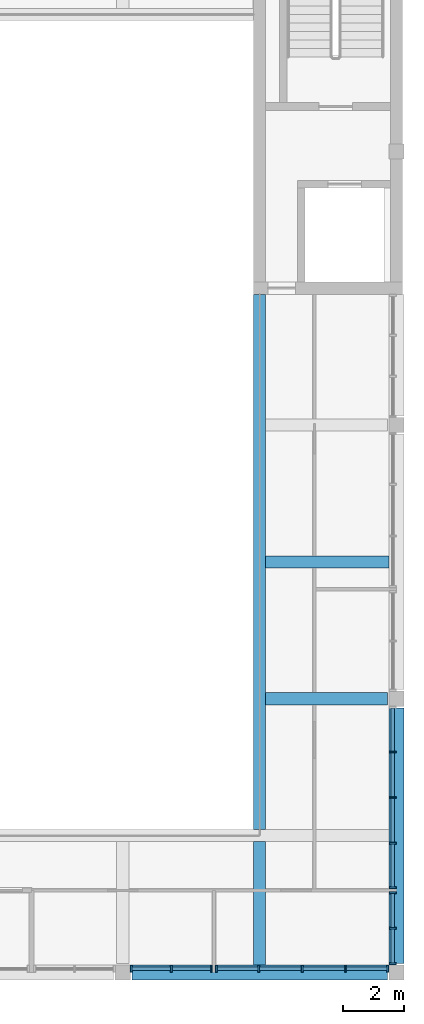
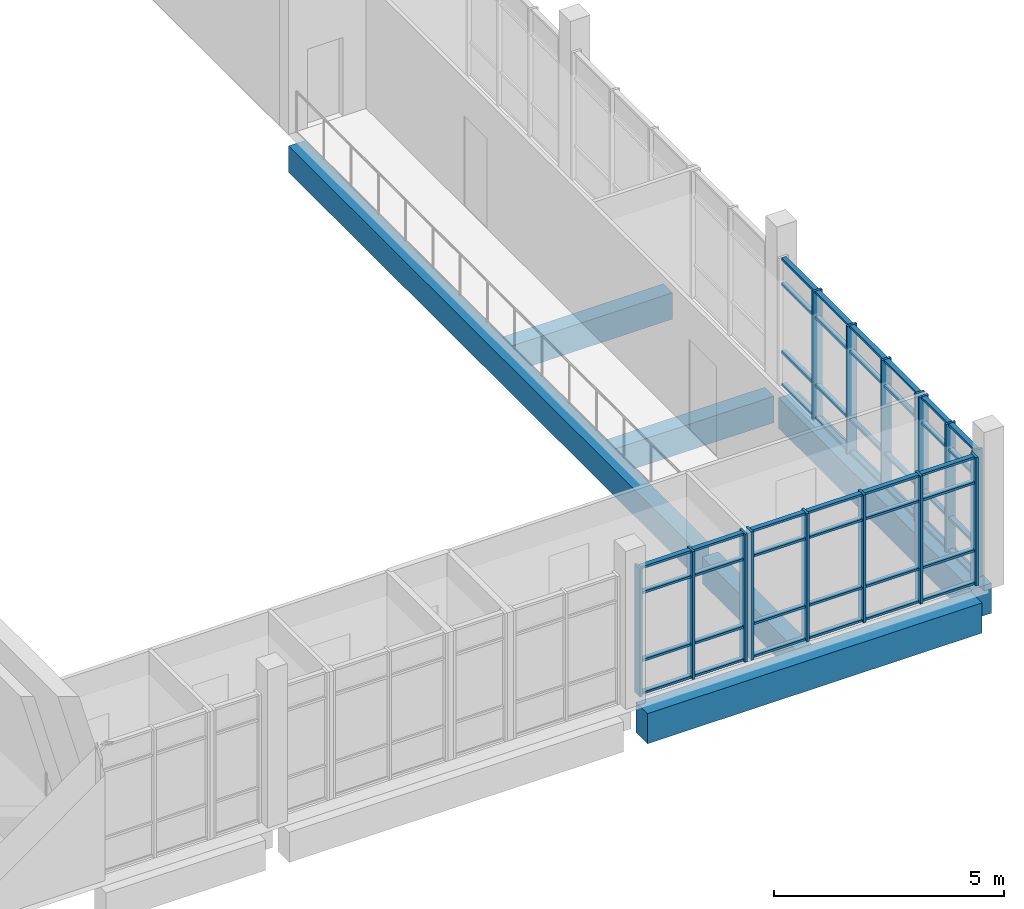
# One storey, part 11 of 74: 63 members, 6 beams, 4 elements without a shape of their own.
"""IFC4 building model written with IfcOpenShell, lengths in metres."""

from ifc_helpers import new_model, si_unit, direction, frame, origin, origin_2d, place, context, subcontext, project, spatial, rectangle, extrude, material, material_profile, profile_set, type_object, element, aggregate, save


model = new_model("IFC4")

# Units and contexts
model_context = context("Model", 3, precision=1e-05, world=origin(), true_north=direction((0.0, 1.0)))
body_context = subcontext(model_context, "Body", "Model", "MODEL_VIEW")
ifc_project = project(units=[si_unit("LENGTHUNIT", "METRE"), si_unit("AREAUNIT", "SQUARE_METRE"), si_unit("VOLUMEUNIT", "CUBIC_METRE"), si_unit("PLANEANGLEUNIT", "RADIAN"), si_unit("MASSUNIT", "GRAM", prefix="KILO")], contexts=[model_context])

# Site, building, storey
site_placement = place(None, origin())
site = spatial("IfcSite", under=ifc_project, at=site_placement, CompositionType="ELEMENT")
building_placement = place(site_placement, origin())
building = spatial("IfcBuilding", under=site, at=building_placement, Name="Merrow Basin Faculty of Sciences", CompositionType="ELEMENT")
storey_placement = place(building_placement, frame((0.0, 0.0, 13.5)))
storey = spatial("IfcBuildingStorey", under=building, at=storey_placement, Name="L03", CompositionType="ELEMENT", Elevation=13.5)

# Curtain wall, members
ifc_material_1 = material(Name="Aluminium alloy 6063", Category="aluminium")
curtain_wall_type = type_object("IfcCurtainWallType", Name="Atrium unitised curtain wall 240", PredefinedType="NOTDEFINED", material=ifc_material_1)
curtain_wall_1_placement = place(storey_placement, origin())
curtain_wall_1 = element("IfcCurtainWall", 1, at=curtain_wall_1_placement, inside=storey, type_object=curtain_wall_type, Name="E curtain wall L03 1", PredefinedType="NOTDEFINED")
ifc_material_2 = material(Name="Aluminium alloy 6063", Category="aluminium")
ifc_material_profile_1 = material_profile(ifc_material_2, rectangle(XDim=0.239990234375, YDim=0.06005859375, at=origin_2d()))
ifc_profile_set_1 = profile_set([ifc_material_profile_1], Name="Aluminium alloy 6063")
member_type_1 = type_object("IfcMemberType", Name="Aluminium mullion 60x240", PredefinedType="MULLION", material=ifc_profile_set_1)
member_1_placement = place(storey_placement, frame((71.8798828125, 0.280029296875, 0.0), z_axis=(0.0, 0.0, 1.0), x_axis=(-1.0, 0.0, 0.0)))
member_1 = element("IfcMember", 2, at=member_1_placement, type_object=member_type_1, Name="CW5 mullion 1", PredefinedType="MULLION", context=body_context, shape_type="SweptSolid", body=[
    extrude(rectangle(XDim=0.239990234375, YDim=0.06005859375, at=origin_2d()), origin(), (0.0, 0.0, 1.0), 3.39990234375),
])
member_2_placement = place(storey_placement, frame((71.8798828125, 1.449951171875, 0.0), z_axis=(0.0, 0.0, 1.0), x_axis=(-1.0, 0.0, 0.0)))
member_2 = element("IfcMember", 3, at=member_2_placement, type_object=member_type_1, Name="CW5 mullion 2", PredefinedType="MULLION", context=body_context, shape_type="SweptSolid", body=[
    extrude(rectangle(XDim=0.239990234375, YDim=0.06005859375, at=origin_2d()), origin(), (0.0, 0.0, 1.0), 3.39990234375),
])
member_3_placement = place(storey_placement, frame((71.8798828125, 2.6201171875, 0.0), z_axis=(0.0, 0.0, 1.0), x_axis=(-1.0, 0.0, 0.0)))
member_3 = element("IfcMember", 4, at=member_3_placement, type_object=member_type_1, Name="CW5 mullion 3", PredefinedType="MULLION", context=body_context, shape_type="SweptSolid", body=[
    extrude(rectangle(XDim=0.239990234375, YDim=0.06005859375, at=origin_2d()), origin(), (0.0, 0.0, 1.0), 3.39990234375),
])

curtain_wall_2_placement = place(storey_placement, origin())
curtain_wall_2 = element("IfcCurtainWall", 5, at=curtain_wall_2_placement, inside=storey, type_object=curtain_wall_type, Name="E curtain wall L03 2", PredefinedType="NOTDEFINED")
member_4_placement = place(storey_placement, frame((71.8798828125, 2.780029296875, 0.0), z_axis=(0.0, 0.0, 1.0), x_axis=(-1.0, 0.0, 0.0)))
member_4 = element("IfcMember", 6, at=member_4_placement, type_object=member_type_1, Name="CW5 mullion 1", PredefinedType="MULLION", context=body_context, shape_type="SweptSolid", body=[
    extrude(rectangle(XDim=0.239990234375, YDim=0.06005859375, at=origin_2d()), origin(), (0.0, 0.0, 1.0), 3.39990234375),
])
member_5_placement = place(storey_placement, frame((71.8798828125, 4.25, 0.0), z_axis=(0.0, 0.0, 1.0), x_axis=(-1.0, 0.0, 0.0)))
member_5 = element("IfcMember", 7, at=member_5_placement, type_object=member_type_1, Name="CW5 mullion 2", PredefinedType="MULLION", context=body_context, shape_type="SweptSolid", body=[
    extrude(rectangle(XDim=0.239990234375, YDim=0.06005859375, at=origin_2d()), origin(), (0.0, 0.0, 1.0), 3.39990234375),
])
member_6_placement = place(storey_placement, frame((71.8798828125, 5.75, 0.0), z_axis=(0.0, 0.0, 1.0), x_axis=(-1.0, 0.0, 0.0)))
member_6 = element("IfcMember", 8, at=member_6_placement, type_object=member_type_1, Name="CW5 mullion 3", PredefinedType="MULLION", context=body_context, shape_type="SweptSolid", body=[
    extrude(rectangle(XDim=0.239990234375, YDim=0.06005859375, at=origin_2d()), origin(), (0.0, 0.0, 1.0), 3.39990234375),
])
member_7_placement = place(storey_placement, frame((71.8798828125, 7.25, 0.0), z_axis=(0.0, 0.0, 1.0), x_axis=(-1.0, 0.0, 0.0)))
member_7 = element("IfcMember", 9, at=member_7_placement, type_object=member_type_1, Name="CW5 mullion 4", PredefinedType="MULLION", context=body_context, shape_type="SweptSolid", body=[
    extrude(rectangle(XDim=0.239990234375, YDim=0.06005859375, at=origin_2d()), origin(), (0.0, 0.0, 1.0), 3.39990234375),
])

curtain_wall_3_placement = place(storey_placement, origin())
curtain_wall_3 = element("IfcCurtainWall", 10, at=curtain_wall_3_placement, inside=storey, type_object=curtain_wall_type, Name="S curtain wall L03 7", PredefinedType="NOTDEFINED")
member_8_placement = place(storey_placement, frame((63.280029296875, 0.1201171875, 0.0), z_axis=(0.0, 0.0, 1.0), x_axis=(0.0, 1.0, 0.0)))
member_8 = element("IfcMember", 11, at=member_8_placement, type_object=member_type_1, Name="CW5 mullion 1", PredefinedType="MULLION", context=body_context, shape_type="SweptSolid", body=[
    extrude(rectangle(XDim=0.239990234375, YDim=0.06005859375, at=origin_2d()), origin(), (0.0, 0.0, 1.0), 3.39990234375),
])
member_9_placement = place(storey_placement, frame((64.60009765625, 0.1201171875, 0.0), z_axis=(0.0, 0.0, 1.0), x_axis=(0.0, 1.0, 0.0)))
member_9 = element("IfcMember", 12, at=member_9_placement, type_object=member_type_1, Name="CW5 mullion 2", PredefinedType="MULLION", context=body_context, shape_type="SweptSolid", body=[
    extrude(rectangle(XDim=0.239990234375, YDim=0.06005859375, at=origin_2d()), origin(), (0.0, 0.0, 1.0), 3.39990234375),
])
member_10_placement = place(storey_placement, frame((65.919921875, 0.1201171875, 0.0), z_axis=(0.0, 0.0, 1.0), x_axis=(0.0, 1.0, 0.0)))
member_10 = element("IfcMember", 13, at=member_10_placement, type_object=member_type_1, Name="CW5 mullion 3", PredefinedType="MULLION", context=body_context, shape_type="SweptSolid", body=[
    extrude(rectangle(XDim=0.239990234375, YDim=0.06005859375, at=origin_2d()), origin(), (0.0, 0.0, 1.0), 3.39990234375),
])

curtain_wall_4_placement = place(storey_placement, origin())
curtain_wall_4 = element("IfcCurtainWall", 14, at=curtain_wall_4_placement, inside=storey, type_object=curtain_wall_type, Name="S curtain wall L03 8", PredefinedType="NOTDEFINED")
member_11_placement = place(storey_placement, frame((66.080078125, 0.1201171875, 0.0), z_axis=(0.0, 0.0, 1.0), x_axis=(0.0, 1.0, 0.0)))
member_11 = element("IfcMember", 15, at=member_11_placement, type_object=member_type_1, Name="CW5 mullion 1", PredefinedType="MULLION", context=body_context, shape_type="SweptSolid", body=[
    extrude(rectangle(XDim=0.239990234375, YDim=0.06005859375, at=origin_2d()), origin(), (0.0, 0.0, 1.0), 3.39990234375),
])
member_12_placement = place(storey_placement, frame((67.47509765625, 0.1201171875, 0.0), z_axis=(0.0, 0.0, 1.0), x_axis=(0.0, 1.0, 0.0)))
member_12 = element("IfcMember", 16, at=member_12_placement, type_object=member_type_1, Name="CW5 mullion 2", PredefinedType="MULLION", context=body_context, shape_type="SweptSolid", body=[
    extrude(rectangle(XDim=0.239990234375, YDim=0.06005859375, at=origin_2d()), origin(), (0.0, 0.0, 1.0), 3.39990234375),
])
member_13_placement = place(storey_placement, frame((68.89990234375, 0.1201171875, 0.0), z_axis=(0.0, 0.0, 1.0), x_axis=(0.0, 1.0, 0.0)))
member_13 = element("IfcMember", 17, at=member_13_placement, type_object=member_type_1, Name="CW5 mullion 3", PredefinedType="MULLION", context=body_context, shape_type="SweptSolid", body=[
    extrude(rectangle(XDim=0.239990234375, YDim=0.06005859375, at=origin_2d()), origin(), (0.0, 0.0, 1.0), 3.39990234375),
])
member_14_placement = place(storey_placement, frame((70.324951171875, 0.1201171875, 0.0), z_axis=(0.0, 0.0, 1.0), x_axis=(0.0, 1.0, 0.0)))
member_14 = element("IfcMember", 18, at=member_14_placement, type_object=member_type_1, Name="CW5 mullion 4", PredefinedType="MULLION", context=body_context, shape_type="SweptSolid", body=[
    extrude(rectangle(XDim=0.239990234375, YDim=0.06005859375, at=origin_2d()), origin(), (0.0, 0.0, 1.0), 3.39990234375),
])
member_15_placement = place(storey_placement, frame((71.719970703125, 0.1201171875, 0.0), z_axis=(0.0, 0.0, 1.0), x_axis=(0.0, 1.0, 0.0)))
member_15 = element("IfcMember", 19, at=member_15_placement, type_object=member_type_1, Name="CW5 mullion 5", PredefinedType="MULLION", context=body_context, shape_type="SweptSolid", body=[
    extrude(rectangle(XDim=0.239990234375, YDim=0.06005859375, at=origin_2d()), origin(), (0.0, 0.0, 1.0), 3.39990234375),
])

# Member
ifc_material_3 = material(Name="Aluminium alloy 6063", Category="aluminium")
ifc_material_profile_2 = material_profile(ifc_material_3, rectangle(XDim=0.1201171875, YDim=0.06005859375, at=origin_2d()))
ifc_profile_set_2 = profile_set([ifc_material_profile_2], Name="Aluminium alloy 6063")
member_type_2 = type_object("IfcMemberType", Name="Aluminium transom 60x120", PredefinedType="USERDEFINED", material=ifc_profile_set_2)
member_16_placement = place(storey_placement, frame((71.8798828125, 0.31005859375, 0.030029296875), z_axis=(0.0, 1.0, 0.0), x_axis=(-1.0, 0.0, 0.0)))
member_16 = element("IfcMember", 20, at=member_16_placement, type_object=member_type_2, Name="CW5 transom 1.1", ObjectType="TRANSOM", PredefinedType="USERDEFINED", context=body_context, shape_type="SweptSolid", body=[
    extrude(rectangle(XDim=0.1201171875, YDim=0.06005859375, at=origin_2d()), origin(), (0.0, 0.0, 1.0), 1.10986328125),
])

member_17_placement = place(storey_placement, frame((71.8798828125, 0.31005859375, 0.89990234375), z_axis=(0.0, 1.0, 0.0), x_axis=(-1.0, 0.0, 0.0)))
member_17 = element("IfcMember", 21, at=member_17_placement, type_object=member_type_2, Name="CW5 transom 1.2", ObjectType="TRANSOM", PredefinedType="USERDEFINED", context=body_context, shape_type="SweptSolid", body=[
    extrude(rectangle(XDim=0.1201171875, YDim=0.06005859375, at=origin_2d()), origin(), (0.0, 0.0, 1.0), 1.10986328125),
])

member_18_placement = place(storey_placement, frame((71.8798828125, 0.31005859375, 2.699951171875), z_axis=(0.0, 1.0, 0.0), x_axis=(-1.0, 0.0, 0.0)))
member_18 = element("IfcMember", 22, at=member_18_placement, type_object=member_type_2, Name="CW5 transom 1.3", ObjectType="TRANSOM", PredefinedType="USERDEFINED", context=body_context, shape_type="SweptSolid", body=[
    extrude(rectangle(XDim=0.1201171875, YDim=0.06005859375, at=origin_2d()), origin(), (0.0, 0.0, 1.0), 1.10986328125),
])

member_19_placement = place(storey_placement, frame((71.8798828125, 0.31005859375, 3.3701171875), z_axis=(0.0, 1.0, 0.0), x_axis=(-1.0, 0.0, 0.0)))
member_19 = element("IfcMember", 23, at=member_19_placement, type_object=member_type_2, Name="CW5 transom 1.4", ObjectType="TRANSOM", PredefinedType="USERDEFINED", context=body_context, shape_type="SweptSolid", body=[
    extrude(rectangle(XDim=0.1201171875, YDim=0.06005859375, at=origin_2d()), origin(), (0.0, 0.0, 1.0), 1.10986328125),
])

member_20_placement = place(storey_placement, frame((71.8798828125, 1.47998046875, 0.030029296875), z_axis=(0.0, 1.0, 0.0), x_axis=(-1.0, 0.0, 0.0)))
member_20 = element("IfcMember", 24, at=member_20_placement, type_object=member_type_2, Name="CW5 transom 2.1", ObjectType="TRANSOM", PredefinedType="USERDEFINED", context=body_context, shape_type="SweptSolid", body=[
    extrude(rectangle(XDim=0.1201171875, YDim=0.06005859375, at=origin_2d()), origin(), (0.0, 0.0, 1.0), 1.110107421875),
])

member_21_placement = place(storey_placement, frame((71.8798828125, 1.47998046875, 0.89990234375), z_axis=(0.0, 1.0, 0.0), x_axis=(-1.0, 0.0, 0.0)))
member_21 = element("IfcMember", 25, at=member_21_placement, type_object=member_type_2, Name="CW5 transom 2.2", ObjectType="TRANSOM", PredefinedType="USERDEFINED", context=body_context, shape_type="SweptSolid", body=[
    extrude(rectangle(XDim=0.1201171875, YDim=0.06005859375, at=origin_2d()), origin(), (0.0, 0.0, 1.0), 1.110107421875),
])

member_22_placement = place(storey_placement, frame((71.8798828125, 1.47998046875, 2.699951171875), z_axis=(0.0, 1.0, 0.0), x_axis=(-1.0, 0.0, 0.0)))
member_22 = element("IfcMember", 26, at=member_22_placement, type_object=member_type_2, Name="CW5 transom 2.3", ObjectType="TRANSOM", PredefinedType="USERDEFINED", context=body_context, shape_type="SweptSolid", body=[
    extrude(rectangle(XDim=0.1201171875, YDim=0.06005859375, at=origin_2d()), origin(), (0.0, 0.0, 1.0), 1.110107421875),
])

member_23_placement = place(storey_placement, frame((71.8798828125, 1.47998046875, 3.3701171875), z_axis=(0.0, 1.0, 0.0), x_axis=(-1.0, 0.0, 0.0)))
member_23 = element("IfcMember", 27, at=member_23_placement, type_object=member_type_2, Name="CW5 transom 2.4", ObjectType="TRANSOM", PredefinedType="USERDEFINED", context=body_context, shape_type="SweptSolid", body=[
    extrude(rectangle(XDim=0.1201171875, YDim=0.06005859375, at=origin_2d()), origin(), (0.0, 0.0, 1.0), 1.110107421875),
])

aggregate(curtain_wall_1, [member_1, member_2, member_3, member_16, member_17, member_18, member_19, member_20, member_21, member_22, member_23])

member_24_placement = place(storey_placement, frame((71.8798828125, 2.81005859375, 0.030029296875), z_axis=(0.0, 1.0, 0.0), x_axis=(-1.0, 0.0, 0.0)))
member_24 = element("IfcMember", 28, at=member_24_placement, type_object=member_type_2, Name="CW5 transom 1.1", ObjectType="TRANSOM", PredefinedType="USERDEFINED", context=body_context, shape_type="SweptSolid", body=[
    extrude(rectangle(XDim=0.1201171875, YDim=0.06005859375, at=origin_2d()), origin(), (0.0, 0.0, 1.0), 1.409912109375),
])

member_25_placement = place(storey_placement, frame((71.8798828125, 2.81005859375, 0.89990234375), z_axis=(0.0, 1.0, 0.0), x_axis=(-1.0, 0.0, 0.0)))
member_25 = element("IfcMember", 29, at=member_25_placement, type_object=member_type_2, Name="CW5 transom 1.2", ObjectType="TRANSOM", PredefinedType="USERDEFINED", context=body_context, shape_type="SweptSolid", body=[
    extrude(rectangle(XDim=0.1201171875, YDim=0.06005859375, at=origin_2d()), origin(), (0.0, 0.0, 1.0), 1.409912109375),
])

member_26_placement = place(storey_placement, frame((71.8798828125, 2.81005859375, 2.699951171875), z_axis=(0.0, 1.0, 0.0), x_axis=(-1.0, 0.0, 0.0)))
member_26 = element("IfcMember", 30, at=member_26_placement, type_object=member_type_2, Name="CW5 transom 1.3", ObjectType="TRANSOM", PredefinedType="USERDEFINED", context=body_context, shape_type="SweptSolid", body=[
    extrude(rectangle(XDim=0.1201171875, YDim=0.06005859375, at=origin_2d()), origin(), (0.0, 0.0, 1.0), 1.409912109375),
])

member_27_placement = place(storey_placement, frame((71.8798828125, 2.81005859375, 3.3701171875), z_axis=(0.0, 1.0, 0.0), x_axis=(-1.0, 0.0, 0.0)))
member_27 = element("IfcMember", 31, at=member_27_placement, type_object=member_type_2, Name="CW5 transom 1.4", ObjectType="TRANSOM", PredefinedType="USERDEFINED", context=body_context, shape_type="SweptSolid", body=[
    extrude(rectangle(XDim=0.1201171875, YDim=0.06005859375, at=origin_2d()), origin(), (0.0, 0.0, 1.0), 1.409912109375),
])

member_28_placement = place(storey_placement, frame((71.8798828125, 4.280029296875, 0.030029296875), z_axis=(0.0, 1.0, 0.0), x_axis=(-1.0, 0.0, 0.0)))
member_28 = element("IfcMember", 32, at=member_28_placement, type_object=member_type_2, Name="CW5 transom 2.1", ObjectType="TRANSOM", PredefinedType="USERDEFINED", context=body_context, shape_type="SweptSolid", body=[
    extrude(rectangle(XDim=0.1201171875, YDim=0.06005859375, at=origin_2d()), origin(), (0.0, 0.0, 1.0), 1.43994140625),
])

member_29_placement = place(storey_placement, frame((71.8798828125, 4.280029296875, 0.89990234375), z_axis=(0.0, 1.0, 0.0), x_axis=(-1.0, 0.0, 0.0)))
member_29 = element("IfcMember", 33, at=member_29_placement, type_object=member_type_2, Name="CW5 transom 2.2", ObjectType="TRANSOM", PredefinedType="USERDEFINED", context=body_context, shape_type="SweptSolid", body=[
    extrude(rectangle(XDim=0.1201171875, YDim=0.06005859375, at=origin_2d()), origin(), (0.0, 0.0, 1.0), 1.43994140625),
])

member_30_placement = place(storey_placement, frame((71.8798828125, 4.280029296875, 2.699951171875), z_axis=(0.0, 1.0, 0.0), x_axis=(-1.0, 0.0, 0.0)))
member_30 = element("IfcMember", 34, at=member_30_placement, type_object=member_type_2, Name="CW5 transom 2.3", ObjectType="TRANSOM", PredefinedType="USERDEFINED", context=body_context, shape_type="SweptSolid", body=[
    extrude(rectangle(XDim=0.1201171875, YDim=0.06005859375, at=origin_2d()), origin(), (0.0, 0.0, 1.0), 1.43994140625),
])

member_31_placement = place(storey_placement, frame((71.8798828125, 4.280029296875, 3.3701171875), z_axis=(0.0, 1.0, 0.0), x_axis=(-1.0, 0.0, 0.0)))
member_31 = element("IfcMember", 35, at=member_31_placement, type_object=member_type_2, Name="CW5 transom 2.4", ObjectType="TRANSOM", PredefinedType="USERDEFINED", context=body_context, shape_type="SweptSolid", body=[
    extrude(rectangle(XDim=0.1201171875, YDim=0.06005859375, at=origin_2d()), origin(), (0.0, 0.0, 1.0), 1.43994140625),
])

member_32_placement = place(storey_placement, frame((71.8798828125, 5.780029296875, 0.030029296875), z_axis=(0.0, 1.0, 0.0), x_axis=(-1.0, 0.0, 0.0)))
member_32 = element("IfcMember", 36, at=member_32_placement, type_object=member_type_2, Name="CW5 transom 3.1", ObjectType="TRANSOM", PredefinedType="USERDEFINED", context=body_context, shape_type="SweptSolid", body=[
    extrude(rectangle(XDim=0.1201171875, YDim=0.06005859375, at=origin_2d()), origin(), (0.0, 0.0, 1.0), 1.43994140625),
])

member_33_placement = place(storey_placement, frame((71.8798828125, 5.780029296875, 0.89990234375), z_axis=(0.0, 1.0, 0.0), x_axis=(-1.0, 0.0, 0.0)))
member_33 = element("IfcMember", 37, at=member_33_placement, type_object=member_type_2, Name="CW5 transom 3.2", ObjectType="TRANSOM", PredefinedType="USERDEFINED", context=body_context, shape_type="SweptSolid", body=[
    extrude(rectangle(XDim=0.1201171875, YDim=0.06005859375, at=origin_2d()), origin(), (0.0, 0.0, 1.0), 1.43994140625),
])

member_34_placement = place(storey_placement, frame((71.8798828125, 5.780029296875, 2.699951171875), z_axis=(0.0, 1.0, 0.0), x_axis=(-1.0, 0.0, 0.0)))
member_34 = element("IfcMember", 38, at=member_34_placement, type_object=member_type_2, Name="CW5 transom 3.3", ObjectType="TRANSOM", PredefinedType="USERDEFINED", context=body_context, shape_type="SweptSolid", body=[
    extrude(rectangle(XDim=0.1201171875, YDim=0.06005859375, at=origin_2d()), origin(), (0.0, 0.0, 1.0), 1.43994140625),
])

member_35_placement = place(storey_placement, frame((71.8798828125, 5.780029296875, 3.3701171875), z_axis=(0.0, 1.0, 0.0), x_axis=(-1.0, 0.0, 0.0)))
member_35 = element("IfcMember", 39, at=member_35_placement, type_object=member_type_2, Name="CW5 transom 3.4", ObjectType="TRANSOM", PredefinedType="USERDEFINED", context=body_context, shape_type="SweptSolid", body=[
    extrude(rectangle(XDim=0.1201171875, YDim=0.06005859375, at=origin_2d()), origin(), (0.0, 0.0, 1.0), 1.43994140625),
])

member_36_placement = place(storey_placement, frame((71.8798828125, 7.280029296875, 0.030029296875), z_axis=(0.0, 1.0, 0.0), x_axis=(-1.0, 0.0, 0.0)))
member_36 = element("IfcMember", 40, at=member_36_placement, type_object=member_type_2, Name="CW5 transom 4.1", ObjectType="TRANSOM", PredefinedType="USERDEFINED", context=body_context, shape_type="SweptSolid", body=[
    extrude(rectangle(XDim=0.1201171875, YDim=0.06005859375, at=origin_2d()), origin(), (0.0, 0.0, 1.0), 1.409912109375),
])

member_37_placement = place(storey_placement, frame((71.8798828125, 7.280029296875, 0.89990234375), z_axis=(0.0, 1.0, 0.0), x_axis=(-1.0, 0.0, 0.0)))
member_37 = element("IfcMember", 41, at=member_37_placement, type_object=member_type_2, Name="CW5 transom 4.2", ObjectType="TRANSOM", PredefinedType="USERDEFINED", context=body_context, shape_type="SweptSolid", body=[
    extrude(rectangle(XDim=0.1201171875, YDim=0.06005859375, at=origin_2d()), origin(), (0.0, 0.0, 1.0), 1.409912109375),
])

member_38_placement = place(storey_placement, frame((71.8798828125, 7.280029296875, 2.699951171875), z_axis=(0.0, 1.0, 0.0), x_axis=(-1.0, 0.0, 0.0)))
member_38 = element("IfcMember", 42, at=member_38_placement, type_object=member_type_2, Name="CW5 transom 4.3", ObjectType="TRANSOM", PredefinedType="USERDEFINED", context=body_context, shape_type="SweptSolid", body=[
    extrude(rectangle(XDim=0.1201171875, YDim=0.06005859375, at=origin_2d()), origin(), (0.0, 0.0, 1.0), 1.409912109375),
])

member_39_placement = place(storey_placement, frame((71.8798828125, 7.280029296875, 3.3701171875), z_axis=(0.0, 1.0, 0.0), x_axis=(-1.0, 0.0, 0.0)))
member_39 = element("IfcMember", 43, at=member_39_placement, type_object=member_type_2, Name="CW5 transom 4.4", ObjectType="TRANSOM", PredefinedType="USERDEFINED", context=body_context, shape_type="SweptSolid", body=[
    extrude(rectangle(XDim=0.1201171875, YDim=0.06005859375, at=origin_2d()), origin(), (0.0, 0.0, 1.0), 1.409912109375),
])

aggregate(curtain_wall_2, [member_4, member_5, member_6, member_7, member_24, member_25, member_26, member_27, member_28, member_29, member_30, member_31, member_32, member_33, member_34, member_35, member_36, member_37, member_38, member_39])

member_40_placement = place(storey_placement, frame((63.31005859375, 0.1201171875, 0.030029296875), z_axis=(1.0, 0.0, 0.0), x_axis=(0.0, 1.0, 0.0)))
member_40 = element("IfcMember", 44, at=member_40_placement, type_object=member_type_2, Name="CW5 transom 1.1", ObjectType="TRANSOM", PredefinedType="USERDEFINED", context=body_context, shape_type="SweptSolid", body=[
    extrude(rectangle(XDim=0.1201171875, YDim=0.06005859375, at=origin_2d()), origin(), (0.0, 0.0, 1.0), 1.260009765625),
])

member_41_placement = place(storey_placement, frame((63.31005859375, 0.1201171875, 0.89990234375), z_axis=(1.0, 0.0, 0.0), x_axis=(0.0, 1.0, 0.0)))
member_41 = element("IfcMember", 45, at=member_41_placement, type_object=member_type_2, Name="CW5 transom 1.2", ObjectType="TRANSOM", PredefinedType="USERDEFINED", context=body_context, shape_type="SweptSolid", body=[
    extrude(rectangle(XDim=0.1201171875, YDim=0.06005859375, at=origin_2d()), origin(), (0.0, 0.0, 1.0), 1.260009765625),
])

member_42_placement = place(storey_placement, frame((63.31005859375, 0.1201171875, 2.699951171875), z_axis=(1.0, 0.0, 0.0), x_axis=(0.0, 1.0, 0.0)))
member_42 = element("IfcMember", 46, at=member_42_placement, type_object=member_type_2, Name="CW5 transom 1.3", ObjectType="TRANSOM", PredefinedType="USERDEFINED", context=body_context, shape_type="SweptSolid", body=[
    extrude(rectangle(XDim=0.1201171875, YDim=0.06005859375, at=origin_2d()), origin(), (0.0, 0.0, 1.0), 1.260009765625),
])

member_43_placement = place(storey_placement, frame((63.31005859375, 0.1201171875, 3.3701171875), z_axis=(1.0, 0.0, 0.0), x_axis=(0.0, 1.0, 0.0)))
member_43 = element("IfcMember", 47, at=member_43_placement, type_object=member_type_2, Name="CW5 transom 1.4", ObjectType="TRANSOM", PredefinedType="USERDEFINED", context=body_context, shape_type="SweptSolid", body=[
    extrude(rectangle(XDim=0.1201171875, YDim=0.06005859375, at=origin_2d()), origin(), (0.0, 0.0, 1.0), 1.260009765625),
])

member_44_placement = place(storey_placement, frame((64.6298828125, 0.1201171875, 0.030029296875), z_axis=(1.0, 0.0, 0.0), x_axis=(0.0, 1.0, 0.0)))
member_44 = element("IfcMember", 48, at=member_44_placement, type_object=member_type_2, Name="CW5 transom 2.1", ObjectType="TRANSOM", PredefinedType="USERDEFINED", context=body_context, shape_type="SweptSolid", body=[
    extrude(rectangle(XDim=0.1201171875, YDim=0.06005859375, at=origin_2d()), origin(), (0.0, 0.0, 1.0), 1.260009765625),
])

member_45_placement = place(storey_placement, frame((64.6298828125, 0.1201171875, 0.89990234375), z_axis=(1.0, 0.0, 0.0), x_axis=(0.0, 1.0, 0.0)))
member_45 = element("IfcMember", 49, at=member_45_placement, type_object=member_type_2, Name="CW5 transom 2.2", ObjectType="TRANSOM", PredefinedType="USERDEFINED", context=body_context, shape_type="SweptSolid", body=[
    extrude(rectangle(XDim=0.1201171875, YDim=0.06005859375, at=origin_2d()), origin(), (0.0, 0.0, 1.0), 1.260009765625),
])

member_46_placement = place(storey_placement, frame((64.6298828125, 0.1201171875, 2.699951171875), z_axis=(1.0, 0.0, 0.0), x_axis=(0.0, 1.0, 0.0)))
member_46 = element("IfcMember", 50, at=member_46_placement, type_object=member_type_2, Name="CW5 transom 2.3", ObjectType="TRANSOM", PredefinedType="USERDEFINED", context=body_context, shape_type="SweptSolid", body=[
    extrude(rectangle(XDim=0.1201171875, YDim=0.06005859375, at=origin_2d()), origin(), (0.0, 0.0, 1.0), 1.260009765625),
])

member_47_placement = place(storey_placement, frame((64.6298828125, 0.1201171875, 3.3701171875), z_axis=(1.0, 0.0, 0.0), x_axis=(0.0, 1.0, 0.0)))
member_47 = element("IfcMember", 51, at=member_47_placement, type_object=member_type_2, Name="CW5 transom 2.4", ObjectType="TRANSOM", PredefinedType="USERDEFINED", context=body_context, shape_type="SweptSolid", body=[
    extrude(rectangle(XDim=0.1201171875, YDim=0.06005859375, at=origin_2d()), origin(), (0.0, 0.0, 1.0), 1.260009765625),
])

aggregate(curtain_wall_3, [member_8, member_9, member_10, member_40, member_41, member_42, member_43, member_44, member_45, member_46, member_47])

member_48_placement = place(storey_placement, frame((66.110107421875, 0.1201171875, 0.030029296875), z_axis=(1.0, 0.0, 0.0), x_axis=(0.0, 1.0, 0.0)))
member_48 = element("IfcMember", 52, at=member_48_placement, type_object=member_type_2, Name="CW5 transom 1.1", ObjectType="TRANSOM", PredefinedType="USERDEFINED", context=body_context, shape_type="SweptSolid", body=[
    extrude(rectangle(XDim=0.1201171875, YDim=0.06005859375, at=origin_2d()), origin(), (0.0, 0.0, 1.0), 1.3349609375),
])

member_49_placement = place(storey_placement, frame((66.110107421875, 0.1201171875, 0.89990234375), z_axis=(1.0, 0.0, 0.0), x_axis=(0.0, 1.0, 0.0)))
member_49 = element("IfcMember", 53, at=member_49_placement, type_object=member_type_2, Name="CW5 transom 1.2", ObjectType="TRANSOM", PredefinedType="USERDEFINED", context=body_context, shape_type="SweptSolid", body=[
    extrude(rectangle(XDim=0.1201171875, YDim=0.06005859375, at=origin_2d()), origin(), (0.0, 0.0, 1.0), 1.3349609375),
])

member_50_placement = place(storey_placement, frame((66.110107421875, 0.1201171875, 2.699951171875), z_axis=(1.0, 0.0, 0.0), x_axis=(0.0, 1.0, 0.0)))
member_50 = element("IfcMember", 54, at=member_50_placement, type_object=member_type_2, Name="CW5 transom 1.3", ObjectType="TRANSOM", PredefinedType="USERDEFINED", context=body_context, shape_type="SweptSolid", body=[
    extrude(rectangle(XDim=0.1201171875, YDim=0.06005859375, at=origin_2d()), origin(), (0.0, 0.0, 1.0), 1.3349609375),
])

member_51_placement = place(storey_placement, frame((66.110107421875, 0.1201171875, 3.3701171875), z_axis=(1.0, 0.0, 0.0), x_axis=(0.0, 1.0, 0.0)))
member_51 = element("IfcMember", 55, at=member_51_placement, type_object=member_type_2, Name="CW5 transom 1.4", ObjectType="TRANSOM", PredefinedType="USERDEFINED", context=body_context, shape_type="SweptSolid", body=[
    extrude(rectangle(XDim=0.1201171875, YDim=0.06005859375, at=origin_2d()), origin(), (0.0, 0.0, 1.0), 1.3349609375),
])

member_52_placement = place(storey_placement, frame((67.5048828125, 0.1201171875, 0.030029296875), z_axis=(1.0, 0.0, 0.0), x_axis=(0.0, 1.0, 0.0)))
member_52 = element("IfcMember", 56, at=member_52_placement, type_object=member_type_2, Name="CW5 transom 2.1", ObjectType="TRANSOM", PredefinedType="USERDEFINED", context=body_context, shape_type="SweptSolid", body=[
    extrude(rectangle(XDim=0.1201171875, YDim=0.06005859375, at=origin_2d()), origin(), (0.0, 0.0, 1.0), 1.365234375),
])

member_53_placement = place(storey_placement, frame((67.5048828125, 0.1201171875, 0.89990234375), z_axis=(1.0, 0.0, 0.0), x_axis=(0.0, 1.0, 0.0)))
member_53 = element("IfcMember", 57, at=member_53_placement, type_object=member_type_2, Name="CW5 transom 2.2", ObjectType="TRANSOM", PredefinedType="USERDEFINED", context=body_context, shape_type="SweptSolid", body=[
    extrude(rectangle(XDim=0.1201171875, YDim=0.06005859375, at=origin_2d()), origin(), (0.0, 0.0, 1.0), 1.365234375),
])

member_54_placement = place(storey_placement, frame((67.5048828125, 0.1201171875, 2.699951171875), z_axis=(1.0, 0.0, 0.0), x_axis=(0.0, 1.0, 0.0)))
member_54 = element("IfcMember", 58, at=member_54_placement, type_object=member_type_2, Name="CW5 transom 2.3", ObjectType="TRANSOM", PredefinedType="USERDEFINED", context=body_context, shape_type="SweptSolid", body=[
    extrude(rectangle(XDim=0.1201171875, YDim=0.06005859375, at=origin_2d()), origin(), (0.0, 0.0, 1.0), 1.365234375),
])

member_55_placement = place(storey_placement, frame((67.5048828125, 0.1201171875, 3.3701171875), z_axis=(1.0, 0.0, 0.0), x_axis=(0.0, 1.0, 0.0)))
member_55 = element("IfcMember", 59, at=member_55_placement, type_object=member_type_2, Name="CW5 transom 2.4", ObjectType="TRANSOM", PredefinedType="USERDEFINED", context=body_context, shape_type="SweptSolid", body=[
    extrude(rectangle(XDim=0.1201171875, YDim=0.06005859375, at=origin_2d()), origin(), (0.0, 0.0, 1.0), 1.365234375),
])

member_56_placement = place(storey_placement, frame((68.929931640625, 0.1201171875, 0.030029296875), z_axis=(1.0, 0.0, 0.0), x_axis=(0.0, 1.0, 0.0)))
member_56 = element("IfcMember", 60, at=member_56_placement, type_object=member_type_2, Name="CW5 transom 3.1", ObjectType="TRANSOM", PredefinedType="USERDEFINED", context=body_context, shape_type="SweptSolid", body=[
    extrude(rectangle(XDim=0.1201171875, YDim=0.06005859375, at=origin_2d()), origin(), (0.0, 0.0, 1.0), 1.364990234375),
])

member_57_placement = place(storey_placement, frame((68.929931640625, 0.1201171875, 0.89990234375), z_axis=(1.0, 0.0, 0.0), x_axis=(0.0, 1.0, 0.0)))
member_57 = element("IfcMember", 61, at=member_57_placement, type_object=member_type_2, Name="CW5 transom 3.2", ObjectType="TRANSOM", PredefinedType="USERDEFINED", context=body_context, shape_type="SweptSolid", body=[
    extrude(rectangle(XDim=0.1201171875, YDim=0.06005859375, at=origin_2d()), origin(), (0.0, 0.0, 1.0), 1.364990234375),
])

member_58_placement = place(storey_placement, frame((68.929931640625, 0.1201171875, 2.699951171875), z_axis=(1.0, 0.0, 0.0), x_axis=(0.0, 1.0, 0.0)))
member_58 = element("IfcMember", 62, at=member_58_placement, type_object=member_type_2, Name="CW5 transom 3.3", ObjectType="TRANSOM", PredefinedType="USERDEFINED", context=body_context, shape_type="SweptSolid", body=[
    extrude(rectangle(XDim=0.1201171875, YDim=0.06005859375, at=origin_2d()), origin(), (0.0, 0.0, 1.0), 1.364990234375),
])

member_59_placement = place(storey_placement, frame((68.929931640625, 0.1201171875, 3.3701171875), z_axis=(1.0, 0.0, 0.0), x_axis=(0.0, 1.0, 0.0)))
member_59 = element("IfcMember", 63, at=member_59_placement, type_object=member_type_2, Name="CW5 transom 3.4", ObjectType="TRANSOM", PredefinedType="USERDEFINED", context=body_context, shape_type="SweptSolid", body=[
    extrude(rectangle(XDim=0.1201171875, YDim=0.06005859375, at=origin_2d()), origin(), (0.0, 0.0, 1.0), 1.364990234375),
])

member_60_placement = place(storey_placement, frame((70.35498046875, 0.1201171875, 0.030029296875), z_axis=(1.0, 0.0, 0.0), x_axis=(0.0, 1.0, 0.0)))
member_60 = element("IfcMember", 64, at=member_60_placement, type_object=member_type_2, Name="CW5 transom 4.1", ObjectType="TRANSOM", PredefinedType="USERDEFINED", context=body_context, shape_type="SweptSolid", body=[
    extrude(rectangle(XDim=0.1201171875, YDim=0.06005859375, at=origin_2d()), origin(), (0.0, 0.0, 1.0), 1.3349609375),
])

member_61_placement = place(storey_placement, frame((70.35498046875, 0.1201171875, 0.89990234375), z_axis=(1.0, 0.0, 0.0), x_axis=(0.0, 1.0, 0.0)))
member_61 = element("IfcMember", 65, at=member_61_placement, type_object=member_type_2, Name="CW5 transom 4.2", ObjectType="TRANSOM", PredefinedType="USERDEFINED", context=body_context, shape_type="SweptSolid", body=[
    extrude(rectangle(XDim=0.1201171875, YDim=0.06005859375, at=origin_2d()), origin(), (0.0, 0.0, 1.0), 1.3349609375),
])

member_62_placement = place(storey_placement, frame((70.35498046875, 0.1201171875, 2.699951171875), z_axis=(1.0, 0.0, 0.0), x_axis=(0.0, 1.0, 0.0)))
member_62 = element("IfcMember", 66, at=member_62_placement, type_object=member_type_2, Name="CW5 transom 4.3", ObjectType="TRANSOM", PredefinedType="USERDEFINED", context=body_context, shape_type="SweptSolid", body=[
    extrude(rectangle(XDim=0.1201171875, YDim=0.06005859375, at=origin_2d()), origin(), (0.0, 0.0, 1.0), 1.3349609375),
])

member_63_placement = place(storey_placement, frame((70.35498046875, 0.1201171875, 3.3701171875), z_axis=(1.0, 0.0, 0.0), x_axis=(0.0, 1.0, 0.0)))
member_63 = element("IfcMember", 67, at=member_63_placement, type_object=member_type_2, Name="CW5 transom 4.4", ObjectType="TRANSOM", PredefinedType="USERDEFINED", context=body_context, shape_type="SweptSolid", body=[
    extrude(rectangle(XDim=0.1201171875, YDim=0.06005859375, at=origin_2d()), origin(), (0.0, 0.0, 1.0), 1.3349609375),
])

aggregate(curtain_wall_4, [member_11, member_12, member_13, member_14, member_15, member_48, member_49, member_50, member_51, member_52, member_53, member_54, member_55, member_56, member_57, member_58, member_59, member_60, member_61, member_62, member_63])

# Beams
ifc_material_4 = material(Name="Concrete C40/50", Category="concrete")
ifc_material_profile_3 = material_profile(ifc_material_4, rectangle(XDim=0.5, YDim=0.800048828125, at=origin_2d()))
ifc_profile_set_3 = profile_set([ifc_material_profile_3], Name="Concrete C40/50")
beam_type_1 = type_object("IfcBeamType", Name="Beam RC500x800 C40/50", PredefinedType="BEAM", material=ifc_profile_set_3)
for number, where, z_axis, x_axis, name in (
    (68, (63.300048828125, 0.0, -0.699951171875), (1.0, 0.0, 0.0), (0.0, 1.0, 0.0), "B4 L03 003"),
    (69, (72.0, 0.300048828125, -0.699951171875), (0.0, 1.0, 0.0), (-1.0, 0.0, 0.0), "B4 L03 010"),
):
    element("IfcBeam", number, at=place(storey_placement, frame(where, z_axis=z_axis, x_axis=x_axis)), inside=storey, type_object=beam_type_1, Name=name, PredefinedType="BEAM", context=body_context, shape_type="SweptSolid", body=[
        extrude(rectangle(XDim=0.5, YDim=0.800048828125, at=origin_2d()), origin(), (0.0, 0.0, 1.0), 8.39990234375),
    ])
ifc_material_5 = material(Name="Concrete C40/50", Category="concrete")
ifc_material_profile_4 = material_profile(ifc_material_5, rectangle(XDim=0.39990234375, YDim=0.699951171875, at=origin_2d()))
ifc_profile_set_4 = profile_set([ifc_material_profile_4], Name="Concrete C40/50")
beam_type_2 = type_object("IfcBeamType", Name="Gallery edge beam RC400x700 C40/50", PredefinedType="BEAM", material=ifc_profile_set_4)
beam_1_placement = place(storey_placement, frame((67.5, 0.25, -0.64990234375), z_axis=(0.0, 1.0, 0.0), x_axis=(-1.0, 0.0, 0.0)))
element("IfcBeam", 70, at=beam_1_placement, inside=storey, type_object=beam_type_2, Name="GB1 L03 017", PredefinedType="BEAM", context=body_context, shape_type="SweptSolid", body=[
    extrude(rectangle(XDim=0.39990234375, YDim=0.699951171875, at=origin_2d()), origin(), (0.0, 0.0, 1.0), 4.050048828125),
])
beam_2_placement = place(storey_placement, frame((67.5, 4.699951171875, -0.64990234375), z_axis=(0.0, 1.0, 0.0), x_axis=(-1.0, 0.0, 0.0)))
element("IfcBeam", 71, at=beam_2_placement, inside=storey, type_object=beam_type_2, Name="GB1 L03 018", PredefinedType="BEAM", context=body_context, shape_type="SweptSolid", body=[
    extrude(rectangle(XDim=0.39990234375, YDim=0.699951171875, at=origin_2d()), origin(), (0.0, 0.0, 1.0), 17.60009765625),
])
beam_3_placement = place(storey_placement, frame((67.699951171875, 13.5, -0.64990234375), z_axis=(1.0, 0.0, 0.0), x_axis=(0.0, 1.0, 0.0)))
element("IfcBeam", 72, at=beam_3_placement, inside=storey, type_object=beam_type_2, Name="GB1 L03 025", PredefinedType="BEAM", context=body_context, shape_type="SweptSolid", body=[
    extrude(rectangle(XDim=0.39990234375, YDim=0.699951171875, at=origin_2d()), origin(), (0.0, 0.0, 1.0), 4.050048828125),
])
beam_4_placement = place(storey_placement, frame((67.699951171875, 9.0, -0.64990234375), z_axis=(1.0, 0.0, 0.0), x_axis=(0.0, 1.0, 0.0)))
element("IfcBeam", 73, at=beam_4_placement, inside=storey, type_object=beam_type_2, Name="GB1 L03 027", PredefinedType="BEAM", context=body_context, shape_type="SweptSolid", body=[
    extrude(rectangle(XDim=0.39990234375, YDim=0.699951171875, at=origin_2d()), origin(), (0.0, 0.0, 1.0), 4.0),
])

save(model, "model.ifc")
